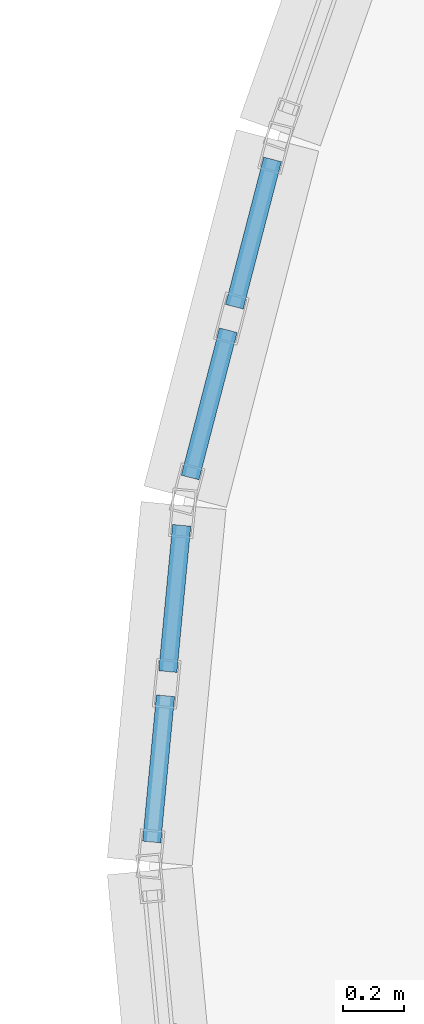
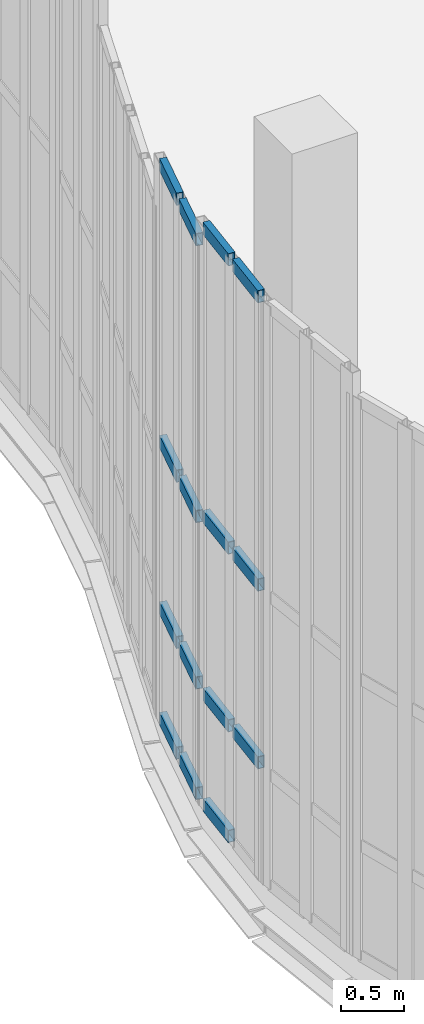
# One storey, part 51 of 105: 15 members, 2 elements without a shape of their own.
"""IFC4 building model written with IfcOpenShell, lengths in metres."""

from ifc_helpers import new_model, si_unit, direction, frame, origin, origin_2d, place, context, subcontext, project, spatial, hollow_rectangle, extrude, material, layer, layer_set, material_profile, profile_set, type_object, element, aggregate, save


model = new_model("IFC4")

# Units and contexts
model_context = context("Model", 3, precision=1e-05, world=origin(), true_north=direction((0.0, 1.0)))
body_context = subcontext(model_context, "Body", "Model", "MODEL_VIEW")
ifc_project = project(units=[si_unit("LENGTHUNIT", "METRE"), si_unit("AREAUNIT", "SQUARE_METRE"), si_unit("VOLUMEUNIT", "CUBIC_METRE"), si_unit("PLANEANGLEUNIT", "RADIAN"), si_unit("MASSUNIT", "GRAM", prefix="KILO"), si_unit("THERMODYNAMICTEMPERATUREUNIT", "KELVIN"), si_unit("POWERUNIT", "WATT")], contexts=[model_context])

# Site, building, storey
site_placement = place(None, origin())
site = spatial("IfcSite", under=ifc_project, at=site_placement, CompositionType="ELEMENT")
building_placement = place(site_placement, origin())
building = spatial("IfcBuilding", under=site, at=building_placement, Name="Kaldorven Railside Theatre", CompositionType="ELEMENT")
storey_placement = place(building_placement, frame((0.0, 0.0, 9.89990234375)))
storey = spatial("IfcBuildingStorey", under=building, at=storey_placement, Name="L02", CompositionType="ELEMENT", Elevation=9.89990234375)

# Curtain wall, members
ifc_material_1 = material(Name="Low-E laminated solar-control glass", Category="glass")
ifc_layer_1 = layer(ifc_material_1, 0.159912109375, Name="Low-E laminated solar-control glass")
ifc_layer_set_1 = layer_set([ifc_layer_1], Name="Low-E laminated solar-control glass")
curtain_wall_type_1 = type_object("IfcCurtainWallType", Name="CWT-24", PredefinedType="USERDEFINED", material=ifc_layer_set_1)
curtain_wall_1_placement = place(storey_placement, origin())
curtain_wall_1 = element("IfcCurtainWall", 1, at=curtain_wall_1_placement, inside=storey, type_object=curtain_wall_type_1, Name="Sinusoidal Fluted Curtain Wall CW-L02-W04", ObjectType="FLUTED GLAZING", PredefinedType="USERDEFINED")
ifc_material_2 = material(Name="Anodised bronze aluminium", Category="aluminium")
ifc_material_profile = material_profile(ifc_material_2, hollow_rectangle(XDim=0.06005859375, YDim=0.1201171875, WallThickness=0.0048828125, at=origin_2d()), Name="RHS 120x60x5")
ifc_profile_set = profile_set([ifc_material_profile], Name="Anodised bronze aluminium")
member_type = type_object("IfcMemberType", Name="CWT-120", PredefinedType="USERDEFINED", material=ifc_profile_set)
member_1_placement = place(storey_placement, frame((70.357666015625, 44.479736328125, 1.10009765625), z_axis=(0.094092884485, 0.995563422937, 0.0), x_axis=(-0.995563422937, 0.094092884485, 0.0)))
member_1 = element("IfcMember", 2, at=member_1_placement, type_object=member_type, Name="CW-L02-W04 transom 1.2", ObjectType="TRANSOM", PredefinedType="USERDEFINED", context=body_context, shape_type="SweptSolid", body=[
    extrude(hollow_rectangle(XDim=0.06005859375, YDim=0.1201171875, WallThickness=0.0048828125, at=origin_2d()), origin(), (0.0, 0.0, 1.0), 0.482666015625),
])
member_2_placement = place(storey_placement, frame((70.357666015625, 44.479736328125, 2.820068359375), z_axis=(0.094092884485, 0.995563422937, 0.0), x_axis=(-0.995563422937, 0.094092884485, 0.0)))
member_2 = element("IfcMember", 3, at=member_2_placement, type_object=member_type, Name="CW-L02-W04 transom 1.3", ObjectType="TRANSOM", PredefinedType="USERDEFINED", context=body_context, shape_type="SweptSolid", body=[
    extrude(hollow_rectangle(XDim=0.06005859375, YDim=0.1201171875, WallThickness=0.0048828125, at=origin_2d()), origin(), (0.0, 0.0, 1.0), 0.482666015625),
])
member_3_placement = place(storey_placement, frame((70.357666015625, 44.479736328125, 5.610107421875), z_axis=(0.094092884485, 0.995563422937, 0.0), x_axis=(-0.995563422937, 0.094092884485, 0.0)))
member_3 = element("IfcMember", 4, at=member_3_placement, type_object=member_type, Name="CW-L02-W04 transom 1.4", ObjectType="TRANSOM", PredefinedType="USERDEFINED", context=body_context, shape_type="SweptSolid", body=[
    extrude(hollow_rectangle(XDim=0.06005859375, YDim=0.1201171875, WallThickness=0.0048828125, at=origin_2d()), origin(), (0.0, 0.0, 1.0), 0.482666015625),
])
member_4_placement = place(storey_placement, frame((70.41064453125, 45.039794921875, 0.030029296875), z_axis=(0.094594245591, 0.995515910823, 0.0), x_axis=(-0.995515910823, 0.094594245591, 0.0)))
member_4 = element("IfcMember", 5, at=member_4_placement, type_object=member_type, Name="CW-L02-W04 transom 2.1", ObjectType="TRANSOM", PredefinedType="USERDEFINED", context=body_context, shape_type="SweptSolid", body=[
    extrude(hollow_rectangle(XDim=0.06005859375, YDim=0.1201171875, WallThickness=0.0048828125, at=origin_2d()), origin(), (0.0, 0.0, 1.0), 0.482666015625),
])
member_5_placement = place(storey_placement, frame((70.41064453125, 45.039794921875, 1.10009765625), z_axis=(0.094594245591, 0.995515910823, 0.0), x_axis=(-0.995515910823, 0.094594245591, 0.0)))
member_5 = element("IfcMember", 6, at=member_5_placement, type_object=member_type, Name="CW-L02-W04 transom 2.2", ObjectType="TRANSOM", PredefinedType="USERDEFINED", context=body_context, shape_type="SweptSolid", body=[
    extrude(hollow_rectangle(XDim=0.06005859375, YDim=0.1201171875, WallThickness=0.0048828125, at=origin_2d()), origin(), (0.0, 0.0, 1.0), 0.482666015625),
])
member_6_placement = place(storey_placement, frame((70.41064453125, 45.039794921875, 2.820068359375), z_axis=(0.094594245591, 0.995515910823, 0.0), x_axis=(-0.995515910823, 0.094594245591, 0.0)))
member_6 = element("IfcMember", 7, at=member_6_placement, type_object=member_type, Name="CW-L02-W04 transom 2.3", ObjectType="TRANSOM", PredefinedType="USERDEFINED", context=body_context, shape_type="SweptSolid", body=[
    extrude(hollow_rectangle(XDim=0.06005859375, YDim=0.1201171875, WallThickness=0.0048828125, at=origin_2d()), origin(), (0.0, 0.0, 1.0), 0.482666015625),
])
member_7_placement = place(storey_placement, frame((70.41064453125, 45.039794921875, 5.610107421875), z_axis=(0.094594245591, 0.995515910823, 0.0), x_axis=(-0.995515910823, 0.094594245591, 0.0)))
member_7 = element("IfcMember", 8, at=member_7_placement, type_object=member_type, Name="CW-L02-W04 transom 2.4", ObjectType="TRANSOM", PredefinedType="USERDEFINED", context=body_context, shape_type="SweptSolid", body=[
    extrude(hollow_rectangle(XDim=0.06005859375, YDim=0.1201171875, WallThickness=0.0048828125, at=origin_2d()), origin(), (0.0, 0.0, 1.0), 0.482666015625),
])
aggregate(curtain_wall_1, [member_1, member_2, member_3, member_4, member_5, member_6, member_7])

ifc_layer_2 = layer(ifc_material_1, 0.159912109375, Name="Low-E laminated solar-control glass")
ifc_layer_set_2 = layer_set([ifc_layer_2], Name="Low-E laminated solar-control glass")
curtain_wall_type_2 = type_object("IfcCurtainWallType", Name="CWT-23", PredefinedType="USERDEFINED", material=ifc_layer_set_2)
curtain_wall_2_placement = place(storey_placement, origin())
curtain_wall_2 = element("IfcCurtainWall", 9, at=curtain_wall_2_placement, inside=storey, type_object=curtain_wall_type_2, Name="Sinusoidal Fluted Curtain Wall CW-L02-W05", ObjectType="FLUTED GLAZING", PredefinedType="USERDEFINED")
member_8_placement = place(storey_placement, frame((70.48388671875, 45.677490234375, 0.030029296875), z_axis=(0.251029954561, 0.967979318949, 0.0), x_axis=(-0.967979318949, 0.251029954561, 0.0)))
member_8 = element("IfcMember", 10, at=member_8_placement, type_object=member_type, Name="CW-L02-W05 transom 1.1", ObjectType="TRANSOM", PredefinedType="USERDEFINED", context=body_context, shape_type="SweptSolid", body=[
    extrude(hollow_rectangle(XDim=0.06005859375, YDim=0.1201171875, WallThickness=0.0048828125, at=origin_2d()), origin(), (0.0, 0.0, 1.0), 0.5),
])
member_9_placement = place(storey_placement, frame((70.48388671875, 45.677490234375, 1.10009765625), z_axis=(0.251029954561, 0.967979318949, 0.0), x_axis=(-0.967979318949, 0.251029954561, 0.0)))
member_9 = element("IfcMember", 11, at=member_9_placement, type_object=member_type, Name="CW-L02-W05 transom 1.2", ObjectType="TRANSOM", PredefinedType="USERDEFINED", context=body_context, shape_type="SweptSolid", body=[
    extrude(hollow_rectangle(XDim=0.06005859375, YDim=0.1201171875, WallThickness=0.0048828125, at=origin_2d()), origin(), (0.0, 0.0, 1.0), 0.5),
])
member_10_placement = place(storey_placement, frame((70.48388671875, 45.677490234375, 2.710205078125), z_axis=(0.251029954561, 0.967979318949, 0.0), x_axis=(-0.967979318949, 0.251029954561, 0.0)))
member_10 = element("IfcMember", 12, at=member_10_placement, type_object=member_type, Name="CW-L02-W05 transom 1.3", ObjectType="TRANSOM", PredefinedType="USERDEFINED", context=body_context, shape_type="SweptSolid", body=[
    extrude(hollow_rectangle(XDim=0.06005859375, YDim=0.1201171875, WallThickness=0.0048828125, at=origin_2d()), origin(), (0.0, 0.0, 1.0), 0.5),
])
member_11_placement = place(storey_placement, frame((70.48388671875, 45.677490234375, 5.39013671875), z_axis=(0.251029954561, 0.967979318949, 0.0), x_axis=(-0.967979318949, 0.251029954561, 0.0)))
member_11 = element("IfcMember", 13, at=member_11_placement, type_object=member_type, Name="CW-L02-W05 transom 1.4", ObjectType="TRANSOM", PredefinedType="USERDEFINED", context=body_context, shape_type="SweptSolid", body=[
    extrude(hollow_rectangle(XDim=0.06005859375, YDim=0.1201171875, WallThickness=0.0048828125, at=origin_2d()), origin(), (0.0, 0.0, 1.0), 0.5),
])
member_12_placement = place(storey_placement, frame((70.62939453125, 46.23876953125, 0.030029296875), z_axis=(0.251029954561, 0.967979318949, 0.0), x_axis=(-0.967979318949, 0.251029954561, 0.0)))
member_12 = element("IfcMember", 14, at=member_12_placement, type_object=member_type, Name="CW-L02-W05 transom 2.1", ObjectType="TRANSOM", PredefinedType="USERDEFINED", context=body_context, shape_type="SweptSolid", body=[
    extrude(hollow_rectangle(XDim=0.06005859375, YDim=0.1201171875, WallThickness=0.0048828125, at=origin_2d()), origin(), (0.0, 0.0, 1.0), 0.5),
])
member_13_placement = place(storey_placement, frame((70.62939453125, 46.23876953125, 1.10009765625), z_axis=(0.251029954561, 0.967979318949, 0.0), x_axis=(-0.967979318949, 0.251029954561, 0.0)))
member_13 = element("IfcMember", 15, at=member_13_placement, type_object=member_type, Name="CW-L02-W05 transom 2.2", ObjectType="TRANSOM", PredefinedType="USERDEFINED", context=body_context, shape_type="SweptSolid", body=[
    extrude(hollow_rectangle(XDim=0.06005859375, YDim=0.1201171875, WallThickness=0.0048828125, at=origin_2d()), origin(), (0.0, 0.0, 1.0), 0.5),
])
member_14_placement = place(storey_placement, frame((70.62939453125, 46.23876953125, 2.710205078125), z_axis=(0.251029954561, 0.967979318949, 0.0), x_axis=(-0.967979318949, 0.251029954561, 0.0)))
member_14 = element("IfcMember", 16, at=member_14_placement, type_object=member_type, Name="CW-L02-W05 transom 2.3", ObjectType="TRANSOM", PredefinedType="USERDEFINED", context=body_context, shape_type="SweptSolid", body=[
    extrude(hollow_rectangle(XDim=0.06005859375, YDim=0.1201171875, WallThickness=0.0048828125, at=origin_2d()), origin(), (0.0, 0.0, 1.0), 0.5),
])
member_15_placement = place(storey_placement, frame((70.62939453125, 46.23876953125, 5.39013671875), z_axis=(0.251029954561, 0.967979318949, 0.0), x_axis=(-0.967979318949, 0.251029954561, 0.0)))
member_15 = element("IfcMember", 17, at=member_15_placement, type_object=member_type, Name="CW-L02-W05 transom 2.4", ObjectType="TRANSOM", PredefinedType="USERDEFINED", context=body_context, shape_type="SweptSolid", body=[
    extrude(hollow_rectangle(XDim=0.06005859375, YDim=0.1201171875, WallThickness=0.0048828125, at=origin_2d()), origin(), (0.0, 0.0, 1.0), 0.5),
])
aggregate(curtain_wall_2, [member_8, member_9, member_10, member_11, member_12, member_13, member_14, member_15])

save(model, "model.ifc")
